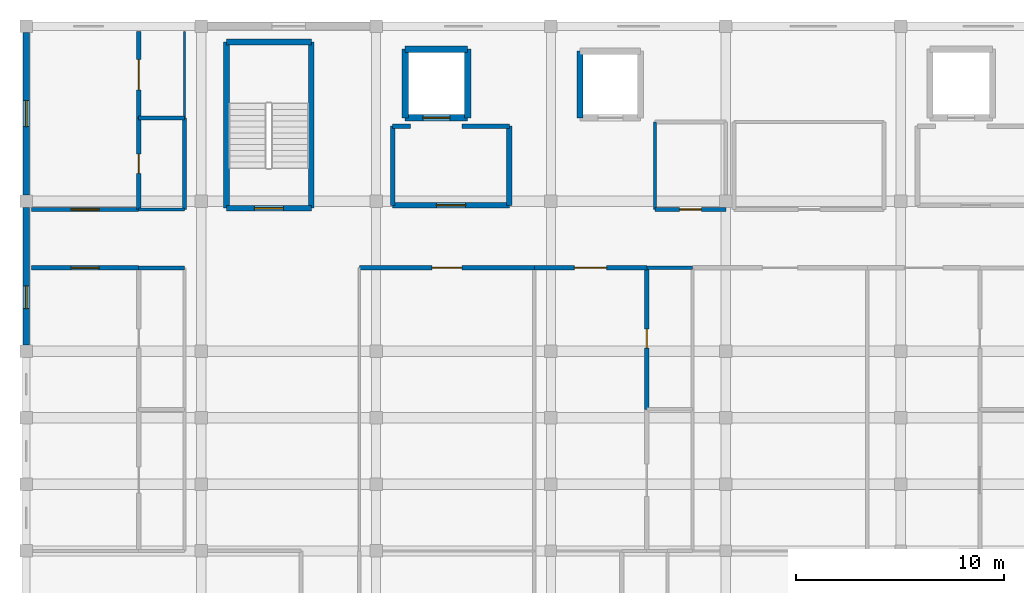
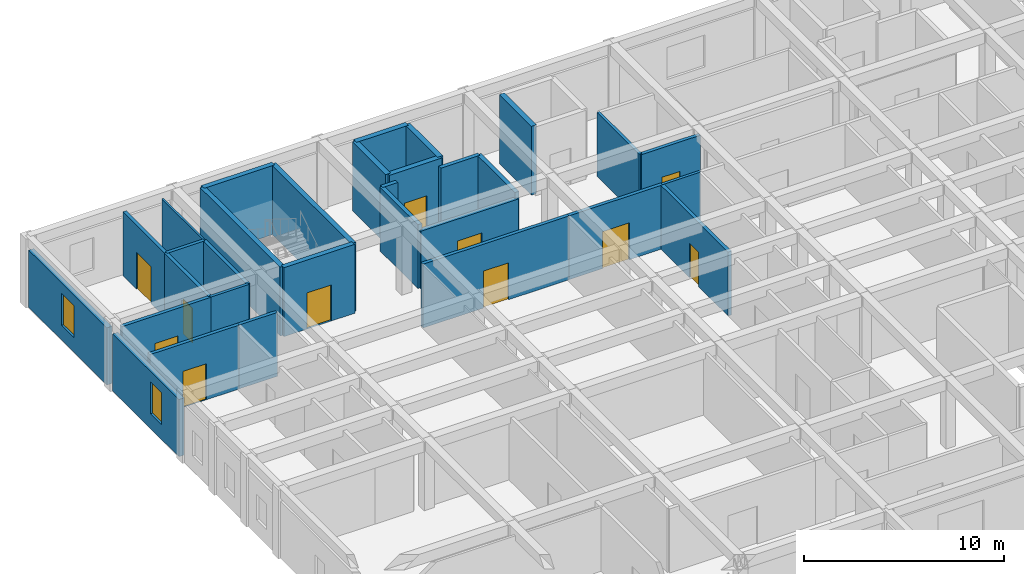
# One storey, part 48 of 77: 31 walls, 11 doors, 2 windows, 13 openings.
"""IFC4 building model written with IfcOpenShell, lengths in metres."""

from ifc_helpers import new_model, si_unit, direction, frame, frame_2d, origin, place, context, subcontext, project, spatial, rectangle, extrude, material, layer, layer_set, type_object, element, fill, save


model = new_model("IFC4")

# Units and contexts
model_context = context("Model", 3, precision=1e-05, world=origin(), true_north=direction((0.0, 1.0)))
body_context = subcontext(model_context, "Body", "Model", "MODEL_VIEW")
ifc_project = project(units=[si_unit("LENGTHUNIT", "METRE"), si_unit("AREAUNIT", "SQUARE_METRE"), si_unit("VOLUMEUNIT", "CUBIC_METRE"), si_unit("PLANEANGLEUNIT", "RADIAN"), si_unit("MASSUNIT", "GRAM", prefix="KILO")], contexts=[model_context])

# Site, building, storey
site_placement = place(None, origin())
site = spatial("IfcSite", under=ifc_project, at=site_placement, CompositionType="ELEMENT")
building_placement = place(site_placement, origin())
building = spatial("IfcBuilding", under=site, at=building_placement, Name="Varncliffe General Hospital", CompositionType="ELEMENT")
storey_placement = place(building_placement, frame((0.0, 0.0, 16.199951171875)))
storey = spatial("IfcBuildingStorey", under=building, at=storey_placement, Name="L03", CompositionType="ELEMENT", Elevation=16.199951171875)

# Wall, opening, window
ifc_material_1 = material(Name="Precast concrete C40/50 with insulated cream lime-cement stucco", Category="concrete")
ifc_layer_1 = layer(ifc_material_1, 0.31005859375)
ifc_layer_set_1 = layer_set([ifc_layer_1], Name="Precast concrete C40/50 with insulated cream lime-cement stucco")
wall_type_1 = type_object("IfcWallType", Name="Exterior Insulated Stucco Wall EW20 (310mm)", PredefinedType="SOLIDWALL", material=ifc_layer_set_1)
wall_1_placement = place(storey_placement, frame((0.0, 109.498046875, 0.0), z_axis=(0.0, 0.0, 1.0), x_axis=(0.0, 1.0, 0.0)))
wall_1 = element("IfcWall", 1, at=wall_1_placement, inside=storey, type_object=wall_type_1, Name="L03 Exterior Stucco Wall EW20-234", PredefinedType="SOLIDWALL", context=body_context, shape_type="SweptSolid", body=[
    extrude(rectangle(XDim=6.60400390625, YDim=0.31005859375, at=frame_2d((3.302001953125, 0.0))), origin(), (0.0, 0.0, 1.0), 3.47998046875),
])
opening_1_placement = place(wall_1_placement, frame((1.739013671875, 0.0, 0.89990234375)))
opening_1 = element("IfcOpeningElement", 2, at=opening_1_placement, cuts=wall_1, Name="Opening WN41", PredefinedType="OPENING", context=body_context, shape_type="SweptSolid", body=[
    extrude(rectangle(XDim=1.10009765625, YDim=1.949951171875, at=frame_2d((0.550048828125, 0.97509765625))), frame((0.0, 0.1650390625, 0.0), z_axis=(0.0, -1.0, 0.0), x_axis=(1.0, 0.0, 0.0)), (0.0, 0.0, 1.0), 0.330078125),
])
ifc_material_2 = material(Name="Triple low-E argon insulated vision glazing", Category="glass")
window_type_1 = type_object("IfcWindowType", Name="Triple-Glazed Hospital Window WN41 (1100x1950)", PartitioningType="SINGLE_PANEL", PredefinedType="WINDOW", material=ifc_material_2)
window_1_placement = place(opening_1_placement, origin())
window_1 = element("IfcWindow", 3, at=window_1_placement, inside=storey, type_object=window_type_1, Name="L03 Hospital Window WN41-156", OverallHeight=1.949951171875, OverallWidth=1.10009765625, PartitioningType="SINGLE_PANEL", PredefinedType="WINDOW", context=body_context, shape_type="SweptSolid", body=[
    extrude(rectangle(XDim=1.10009765625, YDim=1.949951171875, at=frame_2d((0.550048828125, 0.97509765625))), frame((0.0, 0.030029296875, 0.0), z_axis=(0.0, -1.0, 0.0), x_axis=(1.0, 0.0, 0.0)), (0.0, 0.0, 1.0), 0.06005859375),
])
fill(opening_1, window_1)

ifc_layer_2 = layer(ifc_material_1, 0.2900390625)
ifc_layer_set_2 = layer_set([ifc_layer_2], Name="Precast concrete C40/50 with insulated cream lime-cement stucco")
wall_type_2 = type_object("IfcWallType", Name="Exterior Insulated Stucco Wall EW31 (290mm)", PredefinedType="SOLIDWALL", material=ifc_layer_set_2)
wall_2_placement = place(storey_placement, frame((0.0, 116.697998046875, 0.0), z_axis=(0.0, 0.0, 1.0), x_axis=(0.0, 1.0, 0.0)))
wall_2 = element("IfcWall", 4, at=wall_2_placement, inside=storey, type_object=wall_type_2, Name="L03 Exterior Stucco Wall EW31-235", PredefinedType="SOLIDWALL", context=body_context, shape_type="SweptSolid", body=[
    extrude(rectangle(XDim=7.803955078125, YDim=0.2900390625, at=frame_2d((3.90185546875, 0.0))), origin(), (0.0, 0.0, 1.0), 3.47998046875),
])
opening_2_placement = place(wall_2_placement, frame((3.277099609375, 0.0, 0.89990234375)))
opening_2 = element("IfcOpeningElement", 5, at=opening_2_placement, cuts=wall_2, Name="Opening WN49", PredefinedType="OPENING", context=body_context, shape_type="SweptSolid", body=[
    extrude(rectangle(XDim=1.25, YDim=1.949951171875, at=frame_2d((0.625, 0.97509765625))), frame((0.0, 0.155029296875, 0.0), z_axis=(0.0, -1.0, 0.0), x_axis=(1.0, 0.0, 0.0)), (0.0, 0.0, 1.0), 0.31005859375),
])
window_type_2 = type_object("IfcWindowType", Name="Triple-Glazed Hospital Window WN49 (1250x1950)", PartitioningType="SINGLE_PANEL", PredefinedType="WINDOW", material=ifc_material_2)
window_2_placement = place(opening_2_placement, origin())
window_2 = element("IfcWindow", 6, at=window_2_placement, inside=storey, type_object=window_type_2, Name="L03 Hospital Window WN49-157", OverallHeight=1.949951171875, OverallWidth=1.25, PartitioningType="SINGLE_PANEL", PredefinedType="WINDOW", context=body_context, shape_type="SweptSolid", body=[
    extrude(rectangle(XDim=1.25, YDim=1.949951171875, at=frame_2d((0.625, 0.97509765625))), frame((0.0, 0.030029296875, 0.0), z_axis=(0.0, -1.0, 0.0), x_axis=(1.0, 0.0, 0.0)), (0.0, 0.0, 1.0), 0.06005859375),
])
fill(opening_2, window_2)

# Wall
ifc_material_3 = material(Name="Acoustic clinical gypsum stud partition assembly", Category="gypsum")
ifc_layer_3 = layer(ifc_material_3, 0.110107421875)
ifc_layer_set_3 = layer_set([ifc_layer_3], Name="Acoustic clinical gypsum stud partition assembly")
wall_type_3 = type_object("IfcWallType", Name="Interior Partitioning IW65 (110mm)", PredefinedType="PARTITIONING", material=ifc_layer_set_3)
wall_3_placement = place(storey_placement, frame((7.60009765625, 120.39990234375, 0.0), z_axis=(0.0, 0.0, 1.0), x_axis=(0.0, 1.0, 0.0)))
element("IfcWall", 7, at=wall_3_placement, inside=storey, type_object=wall_type_3, Name="L03 Interior Partition Wall IW65-1517", PredefinedType="PARTITIONING", context=body_context, shape_type="SweptSolid", body=[
    extrude(rectangle(XDim=4.14013671875, YDim=0.110107421875, at=frame_2d((2.070068359375, 0.0))), origin(), (0.0, 0.0, 1.0), 3.89013671875),
])

# Wall, opening, door
ifc_material_4 = material(Name="Fire-rated gypsum and mineral-wool partition assembly", Category="gypsum")
ifc_layer_4 = layer(ifc_material_4, 0.25)
ifc_layer_set_4 = layer_set([ifc_layer_4], Name="Fire-rated gypsum and mineral-wool partition assembly")
wall_type_4 = type_object("IfcWallType", Name="Interior Partitioning PW38 (250mm)", PredefinedType="PARTITIONING", material=ifc_layer_set_4)
wall_4_placement = place(storey_placement, frame((17.60009765625, 116.199951171875, 0.0), z_axis=(0.0, 0.0, 1.0), x_axis=(1.0, 0.0, 0.0)))
wall_4 = element("IfcWall", 8, at=wall_4_placement, inside=storey, type_object=wall_type_4, Name="L03 Interior Partition Wall PW38-1493", PredefinedType="PARTITIONING", context=body_context, shape_type="SweptSolid", body=[
    extrude(rectangle(XDim=5.599853515625, YDim=0.25, at=frame_2d((2.7998046875, 0.0))), origin(), (0.0, 0.0, 1.0), 3.53515625),
])
opening_3_placement = place(wall_4_placement, frame((2.10009765625, 0.0, 0.0)))
opening_3 = element("IfcOpeningElement", 9, at=opening_3_placement, cuts=wall_4, Name="Opening DF81", PredefinedType="OPENING", context=body_context, shape_type="SweptSolid", body=[
    extrude(rectangle(XDim=1.39990234375, YDim=2.199951171875, at=frame_2d((0.699951171875, 1.10009765625))), frame((0.0, 0.135009765625, 0.0), z_axis=(0.0, -1.0, 0.0), x_axis=(1.0, 0.0, 0.0)), (0.0, 0.0, 1.0), 0.27001953125),
])
ifc_material_5 = material(Name="Fire-rated hospital steel-frame vision-panel door", Category="steel")
door_type_1 = type_object("IfcDoorType", Name="Interior Hospital Door DF81 (1400x2200)", OperationType="NOTDEFINED", PredefinedType="DOOR", material=ifc_material_5)
door_1_placement = place(opening_3_placement, origin())
door_1 = element("IfcDoor", 10, at=door_1_placement, inside=storey, type_object=door_type_1, Name="L03 Firefighting Lift Lobby LF01 Door", OperationType="SINGLE_SWING_RIGHT", OverallHeight=2.199951171875, OverallWidth=1.39990234375, PredefinedType="DOOR", context=body_context, shape_type="SweptSolid", body=[
    extrude(rectangle(XDim=1.39990234375, YDim=2.199951171875, at=frame_2d((0.699951171875, 1.10009765625))), frame((0.0, 0.02490234375, 0.0), z_axis=(0.0, -1.0, 0.0), x_axis=(1.0, 0.0, 0.0)), (0.0, 0.0, 1.0), 0.050048828125),
])
fill(opening_3, door_1)

# Walls
wall_5_placement = place(storey_placement, frame((23.199951171875, 116.199951171875, 0.0), z_axis=(0.0, 0.0, 1.0), x_axis=(0.0, 1.0, 0.0)))
element("IfcWall", 11, at=wall_5_placement, inside=storey, type_object=wall_type_4, Name="L03 Interior Partition Wall PW38-1533", PredefinedType="PARTITIONING", context=body_context, shape_type="SweptSolid", body=[
    extrude(rectangle(XDim=3.800048828125, YDim=0.25, at=frame_2d((1.89990234375, 0.0))), origin(), (0.0, 0.0, 1.0), 3.89013671875),
])
ifc_layer_5 = layer(ifc_material_4, 0.22998046875)
ifc_layer_set_5 = layer_set([ifc_layer_5], Name="Fire-rated gypsum and mineral-wool partition assembly")
wall_type_5 = type_object("IfcWallType", Name="Interior Partitioning PW48 (230mm)", PredefinedType="PARTITIONING", material=ifc_layer_set_5)
wall_6_placement = place(storey_placement, frame((20.935791015625, 120.0, 0.0), z_axis=(0.0, 0.0, 1.0), x_axis=(1.0, 0.0, 0.0)))
element("IfcWall", 12, at=wall_6_placement, inside=storey, type_object=wall_type_5, Name="L03 Interior Partition Wall PW48-1496", PredefinedType="PARTITIONING", context=body_context, shape_type="SweptSolid", body=[
    extrude(rectangle(XDim=2.26416015625, YDim=0.22998046875, at=frame_2d((1.132080078125, 0.0))), origin(), (0.0, 0.0, 1.0), 3.89013671875),
])
wall_7_placement = place(storey_placement, frame((17.60009765625, 120.0, 0.0), z_axis=(0.0, 0.0, 1.0), x_axis=(1.0, 0.0, 0.0)))
element("IfcWall", 13, at=wall_7_placement, inside=storey, type_object=wall_type_5, Name="L03 Interior Partition Wall PW48-1497", PredefinedType="PARTITIONING", context=body_context, shape_type="SweptSolid", body=[
    extrude(rectangle(XDim=0.864013671875, YDim=0.22998046875, at=frame_2d((0.43212890625, 0.0))), origin(), (0.0, 0.0, 1.0), 3.89013671875),
])
wall_8_placement = place(storey_placement, frame((17.60009765625, 116.199951171875, 0.0), z_axis=(0.0, 0.0, 1.0), x_axis=(0.0, 1.0, 0.0)))
element("IfcWall", 14, at=wall_8_placement, inside=storey, type_object=wall_type_5, Name="L03 Interior Partition Wall PW48-1532", PredefinedType="PARTITIONING", context=body_context, shape_type="SweptSolid", body=[
    extrude(rectangle(XDim=3.800048828125, YDim=0.22998046875, at=frame_2d((1.89990234375, 0.0))), origin(), (0.0, 0.0, 1.0), 3.89013671875),
])

# Wall, opening, door
ifc_layer_6 = layer(ifc_material_4, 0.199951171875)
ifc_layer_set_6 = layer_set([ifc_layer_6], Name="Fire-rated gypsum and mineral-wool partition assembly")
wall_type_6 = type_object("IfcWallType", Name="Interior Partitioning PW63 (200mm)", PredefinedType="PARTITIONING", material=ifc_layer_set_6)
wall_9_placement = place(storey_placement, frame((0.260009765625, 113.199951171875, 0.0), z_axis=(0.0, 0.0, 1.0), x_axis=(1.0, 0.0, 0.0)))
wall_9 = element("IfcWall", 15, at=wall_9_placement, inside=storey, type_object=wall_type_6, Name="L03 Interior Partition Wall PW63-1459", PredefinedType="PARTITIONING", context=body_context, shape_type="SweptSolid", body=[
    extrude(rectangle(XDim=5.139892578125, YDim=0.199951171875, at=frame_2d((2.56982421875, 0.0))), origin(), (0.0, 0.0, 1.0), 3.89013671875),
])
opening_4_placement = place(wall_9_placement, frame((1.89501953125, 0.0, 0.0)))
opening_4 = element("IfcOpeningElement", 16, at=opening_4_placement, cuts=wall_9, Name="Opening DC85", PredefinedType="OPENING", context=body_context, shape_type="SweptSolid", body=[
    extrude(rectangle(XDim=1.35009765625, YDim=2.199951171875, at=frame_2d((0.675048828125, 1.10009765625))), frame((0.0, 0.10986328125, 0.0), z_axis=(0.0, -1.0, 0.0), x_axis=(1.0, 0.0, 0.0)), (0.0, 0.0, 1.0), 0.219970703125),
])
door_type_2 = type_object("IfcDoorType", Name="Interior Hospital Door DC85 (1350x2200)", OperationType="NOTDEFINED", PredefinedType="DOOR", material=ifc_material_5)
door_2_placement = place(opening_4_placement, frame((1.35009765625, 0.0, 0.0), z_axis=(0.0, 0.0, 1.0), x_axis=(-1.0, 0.0, 0.0)))
door_2 = element("IfcDoor", 17, at=door_2_placement, inside=storey, type_object=door_type_2, Name="L03 Orthopaedic Inpatient Ward Suite 100 Door", OperationType="SINGLE_SWING_LEFT", OverallHeight=2.199951171875, OverallWidth=1.35009765625, PredefinedType="DOOR", context=body_context, shape_type="SweptSolid", body=[
    extrude(rectangle(XDim=1.35009765625, YDim=2.199951171875, at=frame_2d((0.675048828125, 1.10009765625))), frame((0.0, 0.02490234375, 0.0), z_axis=(0.0, -1.0, 0.0), x_axis=(1.0, 0.0, 0.0)), (0.0, 0.0, 1.0), 0.050048828125),
])
fill(opening_4, door_2)

wall_10_placement = place(storey_placement, frame((16.0, 113.199951171875, 0.0), z_axis=(0.0, 0.0, 1.0), x_axis=(1.0, 0.0, 0.0)))
wall_10 = element("IfcWall", 18, at=wall_10_placement, inside=storey, type_object=wall_type_6, Name="L03 Interior Partition Wall PW63-1461", PredefinedType="PARTITIONING", context=body_context, shape_type="SweptSolid", body=[
    extrude(rectangle(XDim=8.39990234375, YDim=0.199951171875, at=frame_2d((4.199951171875, 0.0))), origin(), (0.0, 0.0, 1.0), 3.89013671875),
])
opening_5_placement = place(wall_10_placement, frame((3.47509765625, 0.0, 0.0)))
opening_5 = element("IfcOpeningElement", 19, at=opening_5_placement, cuts=wall_10, Name="Opening DC66", PredefinedType="OPENING", context=body_context, shape_type="SweptSolid", body=[
    extrude(rectangle(XDim=1.449951171875, YDim=2.25, at=frame_2d((0.72509765625, 1.125))), frame((0.0, 0.10986328125, 0.0), z_axis=(0.0, -1.0, 0.0), x_axis=(1.0, 0.0, 0.0)), (0.0, 0.0, 1.0), 0.219970703125),
])
door_type_3 = type_object("IfcDoorType", Name="Interior Hospital Door DC66 (1450x2250)", OperationType="NOTDEFINED", PredefinedType="DOOR", material=ifc_material_5)
door_3_placement = place(opening_5_placement, frame((1.449951171875, 0.0, 0.0), z_axis=(0.0, 0.0, 1.0), x_axis=(-1.0, 0.0, 0.0)))
door_3 = element("IfcDoor", 20, at=door_3_placement, inside=storey, type_object=door_type_3, Name="L03 Inpatient Physiotherapy Gym Bay 103 Door", OperationType="SINGLE_SWING_RIGHT", OverallHeight=2.25, OverallWidth=1.449951171875, PredefinedType="DOOR", context=body_context, shape_type="SweptSolid", body=[
    extrude(rectangle(XDim=1.449951171875, YDim=2.25, at=frame_2d((0.72509765625, 1.125))), frame((0.0, 0.02490234375, 0.0), z_axis=(0.0, -1.0, 0.0), x_axis=(1.0, 0.0, 0.0)), (0.0, 0.0, 1.0), 0.050048828125),
])
fill(opening_5, door_3)

wall_11_placement = place(storey_placement, frame((24.39990234375, 113.199951171875, 0.0), z_axis=(0.0, 0.0, 1.0), x_axis=(1.0, 0.0, 0.0)))
wall_11 = element("IfcWall", 21, at=wall_11_placement, inside=storey, type_object=wall_type_6, Name="L03 Interior Partition Wall PW63-1462", PredefinedType="PARTITIONING", context=body_context, shape_type="SweptSolid", body=[
    extrude(rectangle(XDim=5.400146484375, YDim=0.199951171875, at=frame_2d((2.7001953125, 0.0))), origin(), (0.0, 0.0, 1.0), 3.89013671875),
])
opening_6_placement = place(wall_11_placement, frame((1.925048828125, 0.0, 0.0)))
opening_6 = element("IfcOpeningElement", 22, at=opening_6_placement, cuts=wall_11, Name="Opening DC67", PredefinedType="OPENING", context=body_context, shape_type="SweptSolid", body=[
    extrude(rectangle(XDim=1.550048828125, YDim=2.25, at=frame_2d((0.77490234375, 1.125))), frame((0.0, 0.10986328125, 0.0), z_axis=(0.0, -1.0, 0.0), x_axis=(1.0, 0.0, 0.0)), (0.0, 0.0, 1.0), 0.219970703125),
])
door_type_4 = type_object("IfcDoorType", Name="Interior Hospital Door DC67 (1550x2250)", OperationType="NOTDEFINED", PredefinedType="DOOR", material=ifc_material_5)
door_4_placement = place(opening_6_placement, frame((1.550048828125, 0.0, 0.0), z_axis=(0.0, 0.0, 1.0), x_axis=(-1.0, 0.0, 0.0)))
door_4 = element("IfcDoor", 23, at=door_4_placement, inside=storey, type_object=door_type_4, Name="L03 Orthopaedic Inpatient Ward Suite 104 Door", OperationType="SINGLE_SWING_LEFT", OverallHeight=2.25, OverallWidth=1.550048828125, PredefinedType="DOOR", context=body_context, shape_type="SweptSolid", body=[
    extrude(rectangle(XDim=1.550048828125, YDim=2.25, at=frame_2d((0.77490234375, 1.125))), frame((0.0, 0.02490234375, 0.0), z_axis=(0.0, -1.0, 0.0), x_axis=(1.0, 0.0, 0.0)), (0.0, 0.0, 1.0), 0.050048828125),
])
fill(opening_6, door_4)

wall_12_placement = place(storey_placement, frame((0.260009765625, 116.0, 0.0), z_axis=(0.0, 0.0, 1.0), x_axis=(1.0, 0.0, 0.0)))
wall_12 = element("IfcWall", 24, at=wall_12_placement, inside=storey, type_object=wall_type_6, Name="L03 Interior Partition Wall PW63-1480", PredefinedType="PARTITIONING", context=body_context, shape_type="SweptSolid", body=[
    extrude(rectangle(XDim=5.139892578125, YDim=0.199951171875, at=frame_2d((2.56982421875, 0.0))), origin(), (0.0, 0.0, 1.0), 3.89013671875),
])
opening_7_placement = place(wall_12_placement, frame((1.89501953125, 0.0, 0.0)))
opening_7 = element("IfcOpeningElement", 25, at=opening_7_placement, cuts=wall_12, Name="Opening DC85", PredefinedType="OPENING", context=body_context, shape_type="SweptSolid", body=[
    extrude(rectangle(XDim=1.35009765625, YDim=2.199951171875, at=frame_2d((0.675048828125, 1.10009765625))), frame((0.0, 0.10986328125, 0.0), z_axis=(0.0, -1.0, 0.0), x_axis=(1.0, 0.0, 0.0)), (0.0, 0.0, 1.0), 0.219970703125),
])
door_5_placement = place(opening_7_placement, origin())
door_5 = element("IfcDoor", 26, at=door_5_placement, inside=storey, type_object=door_type_2, Name="L03 Orthopaedic Inpatient Ward Suite 128 Door", OperationType="SINGLE_SWING_LEFT", OverallHeight=2.199951171875, OverallWidth=1.35009765625, PredefinedType="DOOR", context=body_context, shape_type="SweptSolid", body=[
    extrude(rectangle(XDim=1.35009765625, YDim=2.199951171875, at=frame_2d((0.675048828125, 1.10009765625))), frame((0.0, 0.02490234375, 0.0), z_axis=(0.0, -1.0, 0.0), x_axis=(1.0, 0.0, 0.0)), (0.0, 0.0, 1.0), 0.050048828125),
])
fill(opening_7, door_5)

wall_13_placement = place(storey_placement, frame((30.199951171875, 116.0, 0.0), z_axis=(0.0, 0.0, 1.0), x_axis=(1.0, 0.0, 0.0)))
wall_13 = element("IfcWall", 27, at=wall_13_placement, inside=storey, type_object=wall_type_6, Name="L03 Interior Partition Wall PW63-1482", PredefinedType="PARTITIONING", context=body_context, shape_type="SweptSolid", body=[
    extrude(rectangle(XDim=3.400146484375, YDim=0.199951171875, at=frame_2d((1.7001953125, 0.0))), origin(), (0.0, 0.0, 1.0), 3.89013671875),
])
opening_8_placement = place(wall_13_placement, frame((1.179931640625, 0.0, 0.0)))
opening_8 = element("IfcOpeningElement", 28, at=opening_8_placement, cuts=wall_13, Name="Opening DI77", PredefinedType="OPENING", context=body_context, shape_type="SweptSolid", body=[
    extrude(rectangle(XDim=1.0400390625, YDim=2.10009765625, at=frame_2d((0.52001953125, 1.050048828125))), frame((0.0, 0.10986328125, 0.0), z_axis=(0.0, -1.0, 0.0), x_axis=(1.0, 0.0, 0.0)), (0.0, 0.0, 1.0), 0.219970703125),
])
ifc_material_6 = material(Name="Solid-core antimicrobial hospital oak veneer door", Category="wood")
door_type_5 = type_object("IfcDoorType", Name="Interior Hospital Door DI77 (1040x2100)", OperationType="NOTDEFINED", PredefinedType="DOOR", material=ifc_material_6)
door_6_placement = place(opening_8_placement, origin())
door_6 = element("IfcDoor", 29, at=door_6_placement, inside=storey, type_object=door_type_5, Name="L03 Accessible WC L03-NW Door", OperationType="SINGLE_SWING_RIGHT", OverallHeight=2.10009765625, OverallWidth=1.0400390625, PredefinedType="DOOR", context=body_context, shape_type="SweptSolid", body=[
    extrude(rectangle(XDim=1.0400390625, YDim=2.10009765625, at=frame_2d((0.52001953125, 1.050048828125))), frame((0.0, 0.02490234375, 0.0), z_axis=(0.0, -1.0, 0.0), x_axis=(1.0, 0.0, 0.0)), (0.0, 0.0, 1.0), 0.050048828125),
])
fill(opening_8, door_6)

wall_14_placement = place(storey_placement, frame((5.39990234375, 116.0, 0.0), z_axis=(0.0, 0.0, 1.0), x_axis=(0.0, 1.0, 0.0)))
wall_14 = element("IfcWall", 30, at=wall_14_placement, inside=storey, type_object=wall_type_6, Name="L03 Interior Partition Wall PW63-1512", PredefinedType="PARTITIONING", context=body_context, shape_type="SweptSolid", body=[
    extrude(rectangle(XDim=4.39990234375, YDim=0.199951171875, at=frame_2d((2.199951171875, 0.0))), origin(), (0.0, 0.0, 1.0), 3.89013671875),
])
opening_9_placement = place(wall_14_placement, frame((1.739990234375, 0.0, 0.0)))
opening_9 = element("IfcOpeningElement", 31, at=opening_9_placement, cuts=wall_14, Name="Opening DI70", PredefinedType="OPENING", context=body_context, shape_type="SweptSolid", body=[
    extrude(rectangle(XDim=0.919921875, YDim=2.10009765625, at=frame_2d((0.4599609375, 1.050048828125))), frame((0.0, 0.10986328125, 0.0), z_axis=(0.0, -1.0, 0.0), x_axis=(1.0, 0.0, 0.0)), (0.0, 0.0, 1.0), 0.219970703125),
])
door_type_6 = type_object("IfcDoorType", Name="Interior Hospital Door DI70 (920x2100)", OperationType="NOTDEFINED", PredefinedType="DOOR", material=ifc_material_6)
door_7_placement = place(opening_9_placement, frame((0.919921875, 0.0, 0.0), z_axis=(0.0, 0.0, 1.0), x_axis=(-1.0, 0.0, 0.0)))
door_7 = element("IfcDoor", 32, at=door_7_placement, inside=storey, type_object=door_type_6, Name="L03 En-Suite Bathroom 129 Door", OperationType="SINGLE_SWING_LEFT", OverallHeight=2.10009765625, OverallWidth=0.919921875, PredefinedType="DOOR", context=body_context, shape_type="SweptSolid", body=[
    extrude(rectangle(XDim=0.919921875, YDim=2.10009765625, at=frame_2d((0.4599609375, 1.050048828125))), frame((0.0, 0.02490234375, 0.0), z_axis=(0.0, -1.0, 0.0), x_axis=(1.0, 0.0, 0.0)), (0.0, 0.0, 1.0), 0.050048828125),
])
fill(opening_9, door_7)

wall_15_placement = place(storey_placement, frame((5.39990234375, 120.39990234375, 0.0), z_axis=(0.0, 0.0, 1.0), x_axis=(0.0, 1.0, 0.0)))
wall_15 = element("IfcWall", 33, at=wall_15_placement, inside=storey, type_object=wall_type_6, Name="L03 Interior Partition Wall PW63-1513", PredefinedType="PARTITIONING", context=body_context, shape_type="SweptSolid", body=[
    extrude(rectangle(XDim=4.14013671875, YDim=0.199951171875, at=frame_2d((2.070068359375, 0.0))), origin(), (0.0, 0.0, 1.0), 3.89013671875),
])
opening_10_placement = place(wall_15_placement, frame((1.344970703125, 0.0, 0.0)))
opening_10 = element("IfcOpeningElement", 34, at=opening_10_placement, cuts=wall_15, Name="Opening DC66", PredefinedType="OPENING", context=body_context, shape_type="SweptSolid", body=[
    extrude(rectangle(XDim=1.449951171875, YDim=2.25, at=frame_2d((0.72509765625, 1.125))), frame((0.0, 0.10986328125, 0.0), z_axis=(0.0, -1.0, 0.0), x_axis=(1.0, 0.0, 0.0)), (0.0, 0.0, 1.0), 0.219970703125),
])
door_8_placement = place(opening_10_placement, frame((1.449951171875, 0.0, 0.0), z_axis=(0.0, 0.0, 1.0), x_axis=(-1.0, 0.0, 0.0)))
door_8 = element("IfcDoor", 35, at=door_8_placement, inside=storey, type_object=door_type_3, Name="L03 Patient Medication and Hygiene Bay 130 Door", OperationType="SINGLE_SWING_RIGHT", OverallHeight=2.25, OverallWidth=1.449951171875, PredefinedType="DOOR", context=body_context, shape_type="SweptSolid", body=[
    extrude(rectangle(XDim=1.449951171875, YDim=2.25, at=frame_2d((0.72509765625, 1.125))), frame((0.0, 0.02490234375, 0.0), z_axis=(0.0, -1.0, 0.0), x_axis=(1.0, 0.0, 0.0)), (0.0, 0.0, 1.0), 0.050048828125),
])
fill(opening_10, door_8)

wall_16_placement = place(storey_placement, frame((29.800048828125, 106.39990234375, 0.0), z_axis=(0.0, 0.0, 1.0), x_axis=(0.0, 1.0, 0.0)))
wall_16 = element("IfcWall", 36, at=wall_16_placement, inside=storey, type_object=wall_type_6, Name="L03 Interior Partition Wall PW63-1540", PredefinedType="PARTITIONING", context=body_context, shape_type="SweptSolid", body=[
    extrude(rectangle(XDim=6.800048828125, YDim=0.199951171875, at=frame_2d((3.39990234375, 0.0))), origin(), (0.0, 0.0, 1.0), 3.89013671875),
])
opening_11_placement = place(wall_16_placement, frame((2.93994140625, 0.0, 0.0)))
opening_11 = element("IfcOpeningElement", 37, at=opening_11_placement, cuts=wall_16, Name="Opening DI70", PredefinedType="OPENING", context=body_context, shape_type="SweptSolid", body=[
    extrude(rectangle(XDim=0.919921875, YDim=2.10009765625, at=frame_2d((0.4599609375, 1.050048828125))), frame((0.0, 0.10986328125, 0.0), z_axis=(0.0, -1.0, 0.0), x_axis=(1.0, 0.0, 0.0)), (0.0, 0.0, 1.0), 0.219970703125),
])
door_9_placement = place(opening_11_placement, frame((0.919921875, 0.0, 0.0), z_axis=(0.0, 0.0, 1.0), x_axis=(-1.0, 0.0, 0.0)))
door_9 = element("IfcDoor", 38, at=door_9_placement, inside=storey, type_object=door_type_6, Name="L03 En-Suite Bathroom 105 Door", OperationType="SINGLE_SWING_RIGHT", OverallHeight=2.10009765625, OverallWidth=0.919921875, PredefinedType="DOOR", context=body_context, shape_type="SweptSolid", body=[
    extrude(rectangle(XDim=0.919921875, YDim=2.10009765625, at=frame_2d((0.4599609375, 1.050048828125))), frame((0.0, 0.02490234375, 0.0), z_axis=(0.0, -1.0, 0.0), x_axis=(1.0, 0.0, 0.0)), (0.0, 0.0, 1.0), 0.050048828125),
])
fill(opening_11, door_9)

# Walls
ifc_material_7 = material(Name="Moisture-resistant plumbing chase wall assembly", Category="gypsum")
ifc_layer_7 = layer(ifc_material_7, 0.18994140625)
ifc_layer_set_7 = layer_set([ifc_layer_7], Name="Moisture-resistant plumbing chase wall assembly")
wall_type_7 = type_object("IfcWallType", Name="Interior Plumbingwall MW17 (190mm)", PredefinedType="PLUMBINGWALL", material=ifc_layer_set_7)
for number, where, z_axis, x_axis, name in (
    (39, (5.39990234375, 113.199951171875, 0.0), (0.0, 0.0, 1.0), (1.0, 0.0, 0.0), "L03 Interior Plumbing Wall MW17-1460"),
    (40, (5.39990234375, 120.39990234375, 0.0), (0.0, 0.0, 1.0), (1.0, 0.0, 0.0), "L03 Interior Plumbing Wall MW17-1506"),
):
    element("IfcWall", number, at=place(storey_placement, frame(where, z_axis=z_axis, x_axis=x_axis)), inside=storey, type_object=wall_type_7, Name=name, PredefinedType="PLUMBINGWALL", context=body_context, shape_type="SweptSolid", body=[
        extrude(rectangle(XDim=2.2001953125, YDim=0.18994140625, at=frame_2d((1.10009765625, 0.0))), origin(), (0.0, 0.0, 1.0), 3.89013671875),
    ])
wall_17_placement = place(storey_placement, frame((7.60009765625, 116.0, 0.0), z_axis=(0.0, 0.0, 1.0), x_axis=(0.0, 1.0, 0.0)))
element("IfcWall", 41, at=wall_17_placement, inside=storey, type_object=wall_type_7, Name="L03 Interior Plumbing Wall MW17-1516", PredefinedType="PLUMBINGWALL", context=body_context, shape_type="SweptSolid", body=[
    extrude(rectangle(XDim=4.39990234375, YDim=0.18994140625, at=frame_2d((2.199951171875, 0.0))), origin(), (0.0, 0.0, 1.0), 3.89013671875),
])
ifc_layer_8 = layer(ifc_material_7, 0.159912109375)
ifc_layer_set_8 = layer_set([ifc_layer_8], Name="Moisture-resistant plumbing chase wall assembly")
wall_type_8 = type_object("IfcWallType", Name="Interior Plumbingwall MW31 (160mm)", PredefinedType="PLUMBINGWALL", material=ifc_layer_set_8)
wall_18_placement = place(storey_placement, frame((29.800048828125, 113.199951171875, 0.0), z_axis=(0.0, 0.0, 1.0), x_axis=(1.0, 0.0, 0.0)))
element("IfcWall", 42, at=wall_18_placement, inside=storey, type_object=wall_type_8, Name="L03 Interior Plumbing Wall MW31-1463", PredefinedType="PLUMBINGWALL", context=body_context, shape_type="SweptSolid", body=[
    extrude(rectangle(XDim=2.199951171875, YDim=0.159912109375, at=frame_2d((1.10009765625, 0.0))), origin(), (0.0, 0.0, 1.0), 3.89013671875),
])
wall_19_placement = place(storey_placement, frame((5.39990234375, 116.0, 0.0), z_axis=(0.0, 0.0, 1.0), x_axis=(1.0, 0.0, 0.0)))
element("IfcWall", 43, at=wall_19_placement, inside=storey, type_object=wall_type_8, Name="L03 Interior Plumbing Wall MW31-1481", PredefinedType="PLUMBINGWALL", context=body_context, shape_type="SweptSolid", body=[
    extrude(rectangle(XDim=2.2001953125, YDim=0.159912109375, at=frame_2d((1.10009765625, 0.0))), origin(), (0.0, 0.0, 1.0), 3.89013671875),
])
wall_20_placement = place(storey_placement, frame((30.199951171875, 116.0, 0.0), z_axis=(0.0, 0.0, 1.0), x_axis=(0.0, 1.0, 0.0)))
element("IfcWall", 44, at=wall_20_placement, inside=storey, type_object=wall_type_8, Name="L03 Interior Plumbing Wall MW31-1541", PredefinedType="PLUMBINGWALL", context=body_context, shape_type="SweptSolid", body=[
    extrude(rectangle(XDim=4.199951171875, YDim=0.159912109375, at=frame_2d((2.10009765625, 0.0))), origin(), (0.0, 0.0, 1.0), 3.89013671875),
])

# Wall, opening, door
ifc_material_8 = material(Name="Concrete C40/50 (CSA A23.1 40 MPa)", Category="concrete")
ifc_layer_9 = layer(ifc_material_8, 0.300048828125)
ifc_layer_set_9 = layer_set([ifc_layer_9], Name="Concrete C40/50 (CSA A23.1 40 MPa)")
wall_type_9 = type_object("IfcWallType", Name="Reinforced Concrete Core Shear Wall CW12 (300mm)", PredefinedType="SHEAR", material=ifc_layer_set_9)
wall_21_placement = place(storey_placement, frame((18.199951171875, 120.39990234375, 0.0), z_axis=(0.0, 0.0, 1.0), x_axis=(1.0, 0.0, 0.0)))
wall_21 = element("IfcWall", 45, at=wall_21_placement, inside=storey, type_object=wall_type_9, Name="L03 LF01 Elevator Shaft Wall South", PredefinedType="SHEAR", context=body_context, shape_type="SweptSolid", body=[
    extrude(rectangle(XDim=3.0, YDim=0.300048828125, at=frame_2d((1.5, 0.0))), origin(), (0.0, 0.0, 1.0), 4.199951171875),
])
opening_12_placement = place(wall_21_placement, frame((0.85009765625, 0.0, 0.0)))
opening_12 = element("IfcOpeningElement", 46, at=opening_12_placement, cuts=wall_21, Name="Opening LD02", PredefinedType="OPENING", context=body_context, shape_type="SweptSolid", body=[
    extrude(rectangle(XDim=1.300048828125, YDim=2.199951171875, at=frame_2d((0.64990234375, 1.10009765625))), frame((0.0, 0.16015625, 0.0), z_axis=(0.0, -1.0, 0.0), x_axis=(1.0, 0.0, 0.0)), (0.0, 0.0, 1.0), 0.320068359375),
])
ifc_material_9 = material(Name="Brushed stainless-steel sliding elevator landing door", Category="steel")
door_type_7 = type_object("IfcDoorType", Name="Lift Landing Door LD02 (1300x2200)", OperationType="DOUBLE_DOOR_SLIDING", PredefinedType="DOOR", material=ifc_material_9)
door_10_placement = place(opening_12_placement, origin())
door_10 = element("IfcDoor", 47, at=door_10_placement, inside=storey, type_object=door_type_7, Name="Lift Landing Door LF01 L03", OperationType="DOUBLE_DOOR_SLIDING", OverallHeight=2.199951171875, OverallWidth=1.300048828125, PredefinedType="DOOR", context=body_context, shape_type="SweptSolid", body=[
    extrude(rectangle(XDim=1.300048828125, YDim=2.199951171875, at=frame_2d((0.64990234375, 1.10009765625))), frame((0.0, 0.02490234375, 0.0), z_axis=(0.0, -1.0, 0.0), x_axis=(1.0, 0.0, 0.0)), (0.0, 0.0, 1.0), 0.050048828125),
])
fill(opening_12, door_10)

# Walls
wall_22_placement = place(storey_placement, frame((21.199951171875, 120.39990234375, 0.0), z_axis=(0.0, 0.0, 1.0), x_axis=(0.0, 1.0, 0.0)))
element("IfcWall", 48, at=wall_22_placement, inside=storey, type_object=wall_type_9, Name="L03 LF01 Elevator Shaft Wall East", PredefinedType="SHEAR", context=body_context, shape_type="SweptSolid", body=[
    extrude(rectangle(XDim=3.300048828125, YDim=0.300048828125, at=frame_2d((1.64990234375, 0.0))), origin(), (0.0, 0.0, 1.0), 4.199951171875),
])
wall_23_placement = place(storey_placement, frame((21.199951171875, 123.699951171875, 0.0), z_axis=(0.0, 0.0, 1.0), x_axis=(-1.0, 0.0, 0.0)))
element("IfcWall", 49, at=wall_23_placement, inside=storey, type_object=wall_type_9, Name="L03 LF01 Elevator Shaft Wall North", PredefinedType="SHEAR", context=body_context, shape_type="SweptSolid", body=[
    extrude(rectangle(XDim=3.0, YDim=0.300048828125, at=frame_2d((1.5, 0.0))), origin(), (0.0, 0.0, 1.0), 4.199951171875),
])
wall_24_placement = place(storey_placement, frame((18.199951171875, 123.699951171875, 0.0), z_axis=(0.0, 0.0, 1.0), x_axis=(0.0, -1.0, 0.0)))
element("IfcWall", 50, at=wall_24_placement, inside=storey, type_object=wall_type_9, Name="L03 LF01 Elevator Shaft Wall West", PredefinedType="SHEAR", context=body_context, shape_type="SweptSolid", body=[
    extrude(rectangle(XDim=3.300048828125, YDim=0.300048828125, at=frame_2d((1.64990234375, 0.0))), origin(), (0.0, 0.0, 1.0), 4.199951171875),
])
wall_25_placement = place(storey_placement, frame((26.60009765625, 123.60009765625, 0.0), z_axis=(0.0, 0.0, 1.0), x_axis=(0.0, -1.0, 0.0)))
element("IfcWall", 51, at=wall_25_placement, inside=storey, type_object=wall_type_9, Name="L03 LF04 Elevator Shaft Wall West", PredefinedType="SHEAR", context=body_context, shape_type="SweptSolid", body=[
    extrude(rectangle(XDim=3.2001953125, YDim=0.300048828125, at=frame_2d((1.60009765625, 0.0))), origin(), (0.0, 0.0, 1.0), 4.199951171875),
])
ifc_layer_10 = layer(ifc_material_8, 0.280029296875)
ifc_layer_set_10 = layer_set([ifc_layer_10], Name="Concrete C40/50 (CSA A23.1 40 MPa)")
wall_type_10 = type_object("IfcWallType", Name="Reinforced Concrete Core Shear Wall CW13 (280mm)", PredefinedType="SHEAR", material=ifc_layer_set_10)
wall_26_placement = place(storey_placement, frame((13.68994140625, 116.06005859375, 0.0), z_axis=(0.0, 0.0, 1.0), x_axis=(0.0, 1.0, 0.0)))
element("IfcWall", 52, at=wall_26_placement, inside=storey, type_object=wall_type_10, Name="L03 ST01 Core Shear Wall L", PredefinedType="SHEAR", context=body_context, shape_type="SweptSolid", body=[
    extrude(rectangle(XDim=7.97998046875, YDim=0.280029296875, at=frame_2d((3.989990234375, 0.0))), origin(), (0.0, 0.0, 1.0), 4.199951171875),
])
wall_27_placement = place(storey_placement, frame((13.68994140625, 124.0400390625, 0.0), z_axis=(0.0, 0.0, 1.0), x_axis=(-1.0, 0.0, 0.0)))
element("IfcWall", 53, at=wall_27_placement, inside=storey, type_object=wall_type_10, Name="L03 ST01 Core Shear Wall F", PredefinedType="SHEAR", context=body_context, shape_type="SweptSolid", body=[
    extrude(rectangle(XDim=4.079833984375, YDim=0.280029296875, at=frame_2d((2.0400390625, 0.0))), origin(), (0.0, 0.0, 1.0), 4.199951171875),
])
wall_28_placement = place(storey_placement, frame((9.610107421875, 124.0400390625, 0.0), z_axis=(0.0, 0.0, 1.0), x_axis=(0.0, -1.0, 0.0)))
element("IfcWall", 54, at=wall_28_placement, inside=storey, type_object=wall_type_10, Name="L03 ST01 Core Shear Wall R", PredefinedType="SHEAR", context=body_context, shape_type="SweptSolid", body=[
    extrude(rectangle(XDim=7.97998046875, YDim=0.280029296875, at=frame_2d((3.989990234375, 0.0))), origin(), (0.0, 0.0, 1.0), 4.199951171875),
])

# Wall, opening, door
wall_29_placement = place(storey_placement, frame((9.610107421875, 116.06005859375, 0.0), z_axis=(0.0, 0.0, 1.0), x_axis=(1.0, 0.0, 0.0)))
wall_29 = element("IfcWall", 55, at=wall_29_placement, inside=storey, type_object=wall_type_10, Name="L03 ST01 Core Shear Wall N", PredefinedType="SHEAR", context=body_context, shape_type="SweptSolid", body=[
    extrude(rectangle(XDim=4.079833984375, YDim=0.280029296875, at=frame_2d((2.0400390625, 0.0))), origin(), (0.0, 0.0, 1.0), 4.199951171875),
])
opening_13_placement = place(wall_29_placement, frame((1.340087890625, 0.0, 0.0)))
opening_13 = element("IfcOpeningElement", 56, at=opening_13_placement, cuts=wall_29, Name="Opening DF81", PredefinedType="OPENING", context=body_context, shape_type="SweptSolid", body=[
    extrude(rectangle(XDim=1.39990234375, YDim=2.199951171875, at=frame_2d((0.699951171875, 1.10009765625))), frame((0.0, 0.14990234375, 0.0), z_axis=(0.0, -1.0, 0.0), x_axis=(1.0, 0.0, 0.0)), (0.0, 0.0, 1.0), 0.300048828125),
])
door_11_placement = place(opening_13_placement, frame((1.39990234375, 0.0, 0.0), z_axis=(0.0, 0.0, 1.0), x_axis=(-1.0, 0.0, 0.0)))
door_11 = element("IfcDoor", 57, at=door_11_placement, inside=storey, type_object=door_type_1, Name="L03 ST01 Protected Exit Stair Door", OperationType="SINGLE_SWING_LEFT", OverallHeight=2.199951171875, OverallWidth=1.39990234375, PredefinedType="DOOR", context=body_context, shape_type="SweptSolid", body=[
    extrude(rectangle(XDim=1.39990234375, YDim=2.199951171875, at=frame_2d((0.699951171875, 1.10009765625))), frame((0.0, 0.02490234375, 0.0), z_axis=(0.0, -1.0, 0.0), x_axis=(1.0, 0.0, 0.0)), (0.0, 0.0, 1.0), 0.050048828125),
])
fill(opening_13, door_11)

save(model, "model.ifc")
